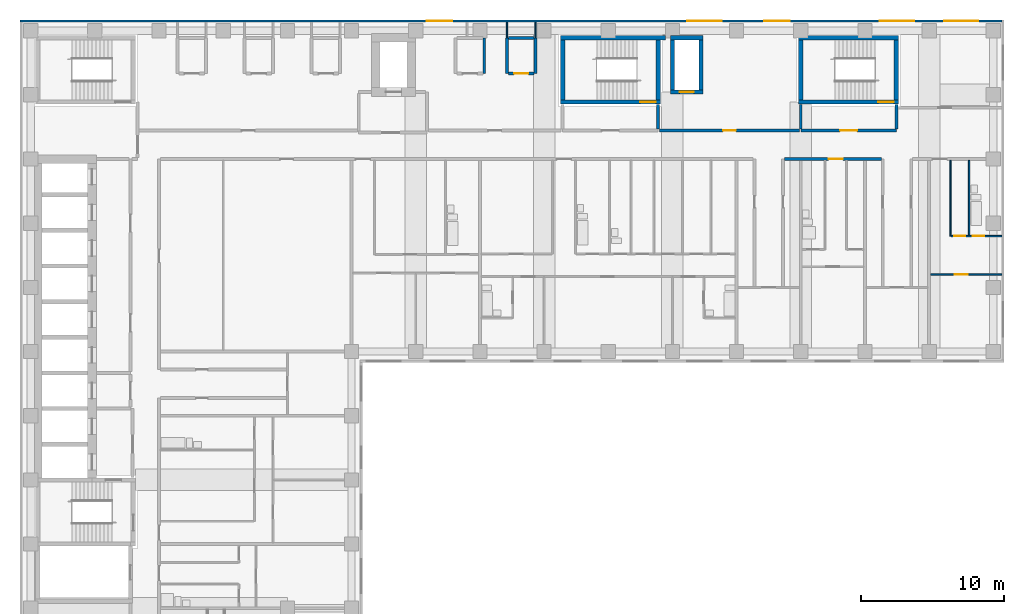
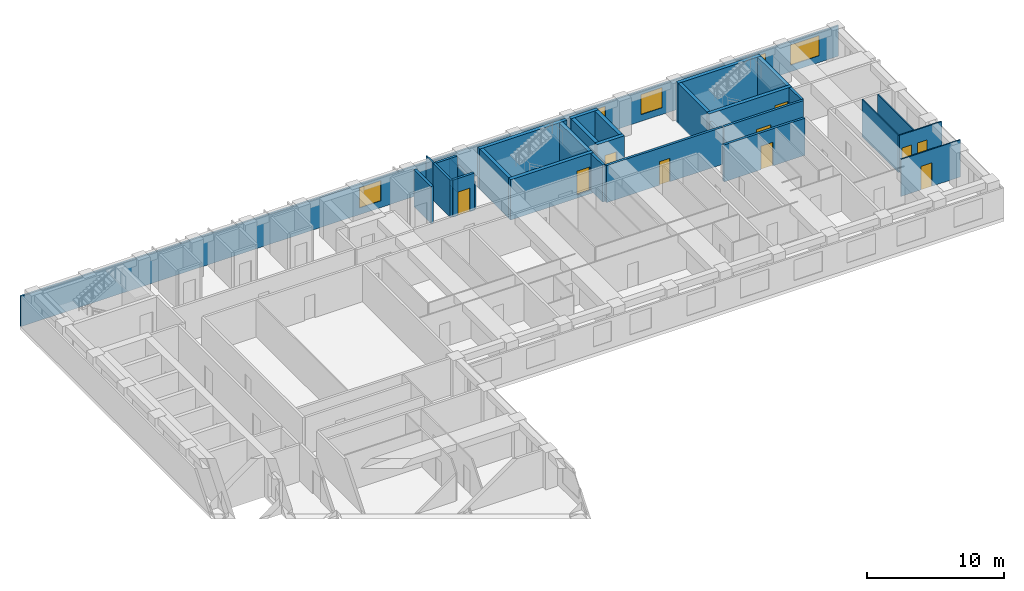
# One storey, part 8 of 12: 30 walls, 10 doors, 5 windows, 15 openings.
"""IFC4 building model written with IfcOpenShell, lengths in metres."""

import ifcopenshell
import ifcopenshell.guid

model = None  # the IFC model being written
_history = None  # IfcOwnerHistory: only IFC2X3 demands one
_inside = {}  # id of a spatial element -> (the spatial element, [elements in it])
_under = {}  # id of a project, library or spatial element -> (it, [spatial elements below it])
_declared = {}  # id of a project -> (the project, [libraries it declares])
_typed = {}  # id of a type object -> (the type object, [elements of that type])
_made_of = {}  # id of a material, layer set ... -> (it, [elements and type objects made of it])


def new_model(schema):
    """Start an empty IFC model of exactly this schema.

    Asked for "IFC4X3", IfcOpenShell would pick the latest addendum, in which some entities
    have other attributes; the version numbers below select the first issue.
    IFC2X3 requires an IfcOwnerHistory on every rooted entity: one is made here for all.
    """
    global model, _history
    if schema == "IFC4X3":
        model = ifcopenshell.file(schema_version=(4, 3, 0, 0))
    else:
        model = ifcopenshell.file(schema=schema)
    _inside.clear()
    _under.clear()
    _declared.clear()
    _typed.clear()
    _made_of.clear()
    _history = None
    if model.schema == "IFC2X3":
        org = make("IfcOrganization", Name="unknown")
        user = make(
            "IfcPersonAndOrganization",
            ThePerson=make("IfcPerson", FamilyName="unknown"),
            TheOrganization=org,
        )
        app = make(
            "IfcApplication",
            ApplicationDeveloper=org,
            Version="unknown",
            ApplicationFullName="unknown",
            ApplicationIdentifier="unknown",
        )
        _history = make(
            "IfcOwnerHistory",
            OwningUser=user,
            OwningApplication=app,
            ChangeAction="ADDED",
            CreationDate=0,
        )
    return model


def make(cls, **values):
    """One entity of the class cls with the attributes given. An attribute that is None is left unset."""
    return model.create_entity(
        cls, **{name: value for name, value in values.items() if value is not None}
    )


def rooted(cls, **values):
    """An entity with a GlobalId (a new one), such as an element, a storey or a relation."""
    return make(cls, GlobalId=ifcopenshell.guid.new(), OwnerHistory=_history, **values)


def si_unit(unit_type, name, prefix=None):
    """IfcSIUnit, for example si_unit("LENGTHUNIT", "METRE", prefix="MILLI")."""
    return make("IfcSIUnit", UnitType=unit_type, Prefix=prefix, Name=name)


def assignment(units):
    """IfcUnitAssignment: the units of a project."""
    return None if units is None else make("IfcUnitAssignment", Units=units)


def point(xyz):
    """IfcCartesianPoint."""
    return None if xyz is None else make("IfcCartesianPoint", Coordinates=xyz)


def direction(xyz):
    """IfcDirection."""
    return None if xyz is None else make("IfcDirection", DirectionRatios=xyz)


def frame(location, z_axis=None, x_axis=None):
    """IfcAxis2Placement3D, a coordinate frame: its origin and axes. An axis left out is left unset."""
    return make(
        "IfcAxis2Placement3D",
        Location=point(location),
        Axis=direction(z_axis),
        RefDirection=direction(x_axis),
    )


def frame_2d(location, x_axis=None):
    """IfcAxis2Placement2D, a coordinate frame in the plane: its origin and x axis."""
    return make(
        "IfcAxis2Placement2D", Location=point(location), RefDirection=direction(x_axis)
    )


def origin():
    """The frame at (0, 0, 0) with its axes left unset."""
    return frame((0.0, 0.0, 0.0))


def place(relative_to, where):
    """IfcLocalPlacement: puts the frame where relative to a parent placement (None: the world)."""
    return make(
        "IfcLocalPlacement", PlacementRelTo=relative_to, RelativePlacement=where
    )


def context(
    kind, dimensions, precision=None, world=None, true_north=None, identifier=None
):
    """IfcGeometricRepresentationContext, for example the 3D "Model" context."""
    return make(
        "IfcGeometricRepresentationContext",
        ContextIdentifier=identifier,
        ContextType=kind,
        CoordinateSpaceDimension=dimensions,
        Precision=precision,
        WorldCoordinateSystem=world,
        TrueNorth=true_north,
    )


def subcontext(parent, identifier, kind, view, scale=None):
    """IfcGeometricRepresentationSubContext, for example "Body" below "Model"."""
    return make(
        "IfcGeometricRepresentationSubContext",
        ContextIdentifier=identifier,
        ContextType=kind,
        ParentContext=parent,
        TargetScale=scale,
        TargetView=view,
    )


def project(units=None, contexts=None):
    """IfcProject with its units and contexts."""
    return rooted(
        "IfcProject",
        Name="project",
        RepresentationContexts=contexts,
        UnitsInContext=assignment(units),
    )


def spatial(cls, under=None, at=None, **own):
    """A site, building, storey or space (cls), placed at a placement, below another one or the project."""
    s = rooted(cls, ObjectPlacement=at, **own)
    if under is not None:
        _under.setdefault(under.id(), (under, []))[1].append(s)
    return s


def profile(cls, at=None, kind="AREA", **sizes):
    """A parametric profile (cls). Its sizes go by their IFC names, for example OverallWidth=200.0."""
    return make(cls, ProfileType=kind, Position=at, **sizes)


def rectangle(**sizes):
    """IfcRectangleProfileDef."""
    return profile("IfcRectangleProfileDef", **sizes)


def extrude(swept, where, along, depth):
    """IfcExtrudedAreaSolid: the profile swept, set in the frame where, extruded along a direction by depth."""
    return make(
        "IfcExtrudedAreaSolid",
        SweptArea=swept,
        Position=where,
        ExtrudedDirection=direction(along),
        Depth=depth,
    )


def shape(context_of_items, identifier, shape_type, items):
    """IfcShapeRepresentation: the items that make up one representation, for example the "Body"."""
    return make(
        "IfcShapeRepresentation",
        ContextOfItems=context_of_items,
        RepresentationIdentifier=identifier,
        RepresentationType=shape_type,
        Items=items,
    )


def material(Name=None, Category=None):
    """IfcMaterial."""
    return make("IfcMaterial", Name=Name, Category=Category)


def layer(
    of_material, thickness, ventilated=None, Name=None, Category=None, Priority=None
):
    """IfcMaterialLayer: one layer of a wall or slab, of a material (None: an air gap)."""
    return make(
        "IfcMaterialLayer",
        Material=of_material,
        LayerThickness=thickness,
        IsVentilated=ventilated,
        Name=Name,
        Category=Category,
        Priority=Priority,
    )


def layer_set(layers, Name=None):
    """IfcMaterialLayerSet."""
    return make("IfcMaterialLayerSet", MaterialLayers=layers, LayerSetName=Name)


def made_of(thing, what):
    """Note that an element or type object is made of a material, layer set ...; save() writes the relation."""
    if what is not None:
        _made_of.setdefault(what.id(), (what, []))[1].append(thing)
    return thing


def type_object(cls, material=None, **own):
    """A type object (cls), such as IfcWallType, which elements share."""
    return made_of(rooted(cls, **own), material)


def element(
    cls,
    number,
    at=None,
    inside=None,
    cuts=None,
    type_object=None,
    material=None,
    context=None,
    identifier="Body",
    shape_type=None,
    held_by="IfcProductDefinitionShape",
    body=None,
    shapes=None,
    **own,
):
    """One element of the class cls, such as IfcWall. Its Tag is "e" and its number.

    at: its placement. inside: the storey or other place that contains it. cuts: it is an
    opening in that element (IfcRelVoidsElement). A single representation is given by context,
    identifier, shape_type and body (its items); several are given by shapes. held_by: the class
    of the entity that holds the representations. save() writes the other relations.
    """
    e = rooted(cls, Tag="e%d" % number, ObjectPlacement=at, **own)
    if body is not None:
        shapes = [shape(context, identifier, shape_type, body)]
    if shapes is not None:
        e.Representation = make(held_by, Representations=shapes)
    if inside is not None:
        _inside.setdefault(inside.id(), (inside, []))[1].append(e)
    if cuts is not None:
        rooted(
            "IfcRelVoidsElement", RelatingBuildingElement=cuts, RelatedOpeningElement=e
        )
    if type_object is not None:
        _typed.setdefault(type_object.id(), (type_object, []))[1].append(e)
    return made_of(e, material)


def fill(opening, filler):
    """IfcRelFillsElement: the door or window that sits in an opening."""
    return rooted(
        "IfcRelFillsElement",
        RelatingOpeningElement=opening,
        RelatedBuildingElement=filler,
    )


def aggregate(whole, parts):
    """IfcRelAggregates: a whole, such as a stair, and the parts it consists of."""
    return rooted("IfcRelAggregates", RelatingObject=whole, RelatedObjects=parts)


def save(model, path):
    """Write the relations noted so far, then the file.

    IfcRelAggregates (storeys below a building ...), IfcRelContainedInSpatialStructure (elements
    in a storey), IfcRelDefinesByType, IfcRelAssociatesMaterial and IfcRelDeclares: one each for
    every whole, place, type object, material and project.
    """
    for whole, parts in _under.values():
        aggregate(whole, parts)
    for where, things in _inside.values():
        rooted(
            "IfcRelContainedInSpatialStructure",
            RelatedElements=things,
            RelatingStructure=where,
        )
    for kind, things in _typed.values():
        rooted("IfcRelDefinesByType", RelatedObjects=things, RelatingType=kind)
    for what, things in _made_of.values():
        rooted("IfcRelAssociatesMaterial", RelatedObjects=things, RelatingMaterial=what)
    for by, libraries in _declared.values():
        rooted("IfcRelDeclares", RelatingContext=by, RelatedDefinitions=libraries)
    model.write(path)


model = new_model("IFC4")

# Units and contexts
model_context = context("Model", 3, precision=1e-05, world=origin(), true_north=direction((0.0, 1.0)))
body_context = subcontext(model_context, "Body", "Model", "MODEL_VIEW")
ifc_project = project(units=[si_unit("LENGTHUNIT", "METRE"), si_unit("AREAUNIT", "SQUARE_METRE"), si_unit("VOLUMEUNIT", "CUBIC_METRE"), si_unit("PLANEANGLEUNIT", "RADIAN"), si_unit("MASSUNIT", "GRAM", prefix="KILO")], contexts=[model_context])

# Site, building, storey
site_placement = place(None, origin())
site = spatial("IfcSite", under=ifc_project, at=site_placement, CompositionType="ELEMENT")
building_placement = place(site_placement, origin())
building = spatial("IfcBuilding", under=site, at=building_placement, Name="Firuza Court", CompositionType="ELEMENT")
storey_placement = place(building_placement, frame((0.0, 0.0, 123.199951171875)))
storey = spatial("IfcBuildingStorey", under=building, at=storey_placement, Name="L30", CompositionType="ELEMENT", Elevation=123.199951171875)

# Wall
ifc_material_1 = material(Name="Moisture-resistant gypsum board partition")
ifc_layer_1 = layer(ifc_material_1, 0.10009765625)
ifc_layer_set_1 = layer_set([ifc_layer_1], Name="Moisture-resistant gypsum board partition")
wall_type_1 = type_object("IfcWallType", Name="Bathroom partition 100", PredefinedType="PLUMBINGWALL", material=ifc_layer_set_1)
wall_1_placement = place(storey_placement, frame((65.800048828125, 44.14990234375, 0.0), z_axis=(0.0, 0.0, 1.0), x_axis=(0.0, 1.0, 0.0)))
element("IfcWall", 1, at=wall_1_placement, inside=storey, type_object=wall_type_1, Name="Bathroom partition 100 L30", PredefinedType="PLUMBINGWALL", context=body_context, shape_type="SweptSolid", body=[
    extrude(rectangle(XDim=5.25, YDim=0.10009765625, at=frame_2d((2.625, 0.0))), origin(), (0.0, 0.0, 1.0), 3.300048828125),
])

# Wall, opening, door
ifc_material_2 = material(Name="Concrete C60/75", Category="concrete")
ifc_layer_2 = layer(ifc_material_2, 0.300048828125)
ifc_layer_set_2 = layer_set([ifc_layer_2], Name="Concrete C60/75")
wall_type_2 = type_object("IfcWallType", Name="Core wall 300 C60/75", PredefinedType="SHEAR", material=ifc_layer_set_2)
wall_2_placement = place(storey_placement, frame((37.14990234375, 53.5, -0.300048828125), z_axis=(0.0, 0.0, 1.0), x_axis=(1.0, 0.0, 0.0)))
wall_2 = element("IfcWall", 2, at=wall_2_placement, inside=storey, type_object=wall_type_2, Name="Core wall stair L30", PredefinedType="SHEAR", context=body_context, shape_type="SweptSolid", body=[
    extrude(rectangle(XDim=7.0, YDim=0.300048828125, at=frame_2d((3.5, 0.0))), origin(), (0.0, 0.0, 1.0), 3.60009765625),
])
opening_1_placement = place(wall_2_placement, frame((5.580078125, 0.0, 0.300048828125)))
opening_1 = element("IfcOpeningElement", 3, at=opening_1_placement, cuts=wall_2, Name="Opening D30012", PredefinedType="OPENING", context=body_context, shape_type="SweptSolid", body=[
    extrude(rectangle(XDim=1.10009765625, YDim=2.10009765625, at=frame_2d((0.550048828125, 1.050048828125))), frame((0.0, 0.162109375, 0.0), z_axis=(0.0, -1.0, 0.0), x_axis=(1.0, 0.0, 0.0)), (0.0, 0.0, 1.0), 0.323974609375),
])
ifc_material_3 = material(Name="Timber door leaf in hardwood frame", Category="wood")
door_type_1 = type_object("IfcDoorType", Name="Stair door 1100", OperationType="SINGLE_SWING_LEFT", PredefinedType="DOOR", material=ifc_material_3)
door_1_placement = place(opening_1_placement, origin())
door_1 = element("IfcDoor", 4, at=door_1_placement, inside=storey, type_object=door_type_1, Name="Stair door S1", OperationType="SINGLE_SWING_RIGHT", OverallHeight=2.10009765625, OverallWidth=1.10009765625, PredefinedType="DOOR", context=body_context, shape_type="SweptSolid", body=[
    extrude(rectangle(XDim=1.10009765625, YDim=2.10009765625, at=frame_2d((0.550048828125, 1.050048828125))), frame((0.0, 0.02490234375, 0.0), z_axis=(0.0, -1.0, 0.0), x_axis=(1.0, 0.0, 0.0)), (0.0, 0.0, 1.0), 0.050048828125),
])
fill(opening_1, door_1)

# Walls
wall_3_placement = place(storey_placement, frame((37.14990234375, 58.0, -0.300048828125), z_axis=(0.0, 0.0, 1.0), x_axis=(1.0, 0.0, 0.0)))
element("IfcWall", 5, at=wall_3_placement, inside=storey, type_object=wall_type_2, Name="Core wall stair L30", PredefinedType="SHEAR", context=body_context, shape_type="SweptSolid", body=[
    extrude(rectangle(XDim=7.35009765625, YDim=0.300048828125, at=frame_2d((3.675048828125, 0.0))), origin(), (0.0, 0.0, 1.0), 3.60009765625),
])
for number, where, z_axis, x_axis, name in (
    (6, (37.300048828125, 53.64990234375, -0.300048828125), (0.0, 0.0, 1.0), (0.0, 1.0, 0.0), "Core wall stair L30"),
    (7, (44.0, 53.64990234375, -0.300048828125), (0.0, 0.0, 1.0), (0.0, 1.0, 0.0), "Core wall stair L30"),
):
    element("IfcWall", number, at=place(storey_placement, frame(where, z_axis=z_axis, x_axis=x_axis)), inside=storey, type_object=wall_type_2, Name=name, PredefinedType="SHEAR", context=body_context, shape_type="SweptSolid", body=[
        extrude(rectangle(XDim=4.2001953125, YDim=0.300048828125, at=frame_2d((2.10009765625, 0.0))), origin(), (0.0, 0.0, 1.0), 3.60009765625),
    ])

# Wall, opening, door
wall_4_placement = place(storey_placement, frame((44.85009765625, 54.199951171875, -0.300048828125), z_axis=(0.0, 0.0, 1.0), x_axis=(1.0, 0.0, 0.0)))
wall_4 = element("IfcWall", 8, at=wall_4_placement, inside=storey, type_object=wall_type_2, Name="Core wall riser L30", PredefinedType="SHEAR", context=body_context, shape_type="SweptSolid", body=[
    extrude(rectangle(XDim=2.2998046875, YDim=0.300048828125, at=frame_2d((1.14990234375, 0.0))), origin(), (0.0, 0.0, 1.0), 3.60009765625),
])
opening_2_placement = place(wall_4_placement, frame((0.64990234375, 0.0, 0.300048828125)))
opening_2 = element("IfcOpeningElement", 9, at=opening_2_placement, cuts=wall_4, Name="Opening D30010", PredefinedType="OPENING", context=body_context, shape_type="SweptSolid", body=[
    extrude(rectangle(XDim=1.0, YDim=2.10009765625, at=frame_2d((0.5, 1.050048828125))), frame((0.0, 0.162109375, 0.0), z_axis=(0.0, -1.0, 0.0), x_axis=(1.0, 0.0, 0.0)), (0.0, 0.0, 1.0), 0.323974609375),
])
ifc_material_4 = material(Name="Timber door leaf in hardwood frame", Category="wood")
door_type_2 = type_object("IfcDoorType", Name="Riser door 1000", OperationType="SINGLE_SWING_LEFT", PredefinedType="DOOR", material=ifc_material_4)
door_2_placement = place(opening_2_placement, origin())
door_2 = element("IfcDoor", 10, at=door_2_placement, inside=storey, type_object=door_type_2, Name="Riser door R3", OperationType="SINGLE_SWING_LEFT", OverallHeight=2.10009765625, OverallWidth=1.0, PredefinedType="DOOR", context=body_context, shape_type="SweptSolid", body=[
    extrude(rectangle(XDim=1.0, YDim=2.10009765625, at=frame_2d((0.5, 1.050048828125))), frame((0.0, 0.02490234375, 0.0), z_axis=(0.0, -1.0, 0.0), x_axis=(1.0, 0.0, 0.0)), (0.0, 0.0, 1.0), 0.050048828125),
])
fill(opening_2, door_2)

# Walls
wall_5_placement = place(storey_placement, frame((44.85009765625, 58.0, -0.300048828125), z_axis=(0.0, 0.0, 1.0), x_axis=(1.0, 0.0, 0.0)))
element("IfcWall", 11, at=wall_5_placement, inside=storey, type_object=wall_type_2, Name="Core wall riser L30", PredefinedType="SHEAR", context=body_context, shape_type="SweptSolid", body=[
    extrude(rectangle(XDim=2.2998046875, YDim=0.300048828125, at=frame_2d((1.14990234375, 0.0))), origin(), (0.0, 0.0, 1.0), 3.60009765625),
])
for number, where, z_axis, x_axis, name in (
    (12, (45.0, 54.35009765625, -0.300048828125), (0.0, 0.0, 1.0), (0.0, 1.0, 0.0), "Core wall riser L30"),
    (13, (47.0, 54.35009765625, -0.300048828125), (0.0, 0.0, 1.0), (0.0, 1.0, 0.0), "Core wall riser L30"),
):
    element("IfcWall", number, at=place(storey_placement, frame(where, z_axis=z_axis, x_axis=x_axis)), inside=storey, type_object=wall_type_2, Name=name, PredefinedType="SHEAR", context=body_context, shape_type="SweptSolid", body=[
        extrude(rectangle(XDim=3.5, YDim=0.300048828125, at=frame_2d((1.75, 0.0))), origin(), (0.0, 0.0, 1.0), 3.60009765625),
    ])

# Wall, opening, door
wall_6_placement = place(storey_placement, frame((53.85009765625, 53.5, -0.300048828125), z_axis=(0.0, 0.0, 1.0), x_axis=(1.0, 0.0, 0.0)))
wall_6 = element("IfcWall", 14, at=wall_6_placement, inside=storey, type_object=wall_type_2, Name="Core wall stair L30", PredefinedType="SHEAR", context=body_context, shape_type="SweptSolid", body=[
    extrude(rectangle(XDim=7.0, YDim=0.300048828125, at=frame_2d((3.5, 0.0))), origin(), (0.0, 0.0, 1.0), 3.60009765625),
])
opening_3_placement = place(wall_6_placement, frame((5.580078125, 0.0, 0.300048828125)))
opening_3 = element("IfcOpeningElement", 15, at=opening_3_placement, cuts=wall_6, Name="Opening D30016", PredefinedType="OPENING", context=body_context, shape_type="SweptSolid", body=[
    extrude(rectangle(XDim=1.10009765625, YDim=2.10009765625, at=frame_2d((0.550048828125, 1.050048828125))), frame((0.0, 0.162109375, 0.0), z_axis=(0.0, -1.0, 0.0), x_axis=(1.0, 0.0, 0.0)), (0.0, 0.0, 1.0), 0.323974609375),
])
door_3_placement = place(opening_3_placement, origin())
door_3 = element("IfcDoor", 16, at=door_3_placement, inside=storey, type_object=door_type_1, Name="Stair door S4", OperationType="SINGLE_SWING_RIGHT", OverallHeight=2.10009765625, OverallWidth=1.10009765625, PredefinedType="DOOR", context=body_context, shape_type="SweptSolid", body=[
    extrude(rectangle(XDim=1.10009765625, YDim=2.10009765625, at=frame_2d((0.550048828125, 1.050048828125))), frame((0.0, 0.02490234375, 0.0), z_axis=(0.0, -1.0, 0.0), x_axis=(1.0, 0.0, 0.0)), (0.0, 0.0, 1.0), 0.050048828125),
])
fill(opening_3, door_3)

# Walls
wall_7_placement = place(storey_placement, frame((53.85009765625, 58.0, -0.300048828125), z_axis=(0.0, 0.0, 1.0), x_axis=(1.0, 0.0, 0.0)))
element("IfcWall", 17, at=wall_7_placement, inside=storey, type_object=wall_type_2, Name="Core wall stair L30", PredefinedType="SHEAR", context=body_context, shape_type="SweptSolid", body=[
    extrude(rectangle(XDim=7.0, YDim=0.300048828125, at=frame_2d((3.5, 0.0))), origin(), (0.0, 0.0, 1.0), 3.60009765625),
])
for number, where, z_axis, x_axis, name in (
    (18, (54.0, 53.64990234375, -0.300048828125), (0.0, 0.0, 1.0), (0.0, 1.0, 0.0), "Core wall stair L30"),
    (19, (60.699951171875, 53.64990234375, -0.300048828125), (0.0, 0.0, 1.0), (0.0, 1.0, 0.0), "Core wall stair L30"),
):
    element("IfcWall", number, at=place(storey_placement, frame(where, z_axis=z_axis, x_axis=x_axis)), inside=storey, type_object=wall_type_2, Name=name, PredefinedType="SHEAR", context=body_context, shape_type="SweptSolid", body=[
        extrude(rectangle(XDim=4.2001953125, YDim=0.300048828125, at=frame_2d((2.10009765625, 0.0))), origin(), (0.0, 0.0, 1.0), 3.60009765625),
    ])

# Wall, opening, door
ifc_material_5 = material(Name="Blockwork, plastered both sides", Category="masonry")
ifc_layer_3 = layer(ifc_material_5, 0.199951171875)
ifc_layer_set_3 = layer_set([ifc_layer_3], Name="Blockwork, plastered both sides")
wall_type_3 = type_object("IfcWallType", Name="Corridor wall 200", PredefinedType="PARTITIONING", material=ifc_layer_set_3)
wall_8_placement = place(storey_placement, frame((52.85009765625, 49.5, 0.0), z_axis=(0.0, 0.0, 1.0), x_axis=(1.0, 0.0, 0.0)))
wall_8 = element("IfcWall", 20, at=wall_8_placement, inside=storey, type_object=wall_type_3, Name="Corridor wall 200 L30", PredefinedType="PARTITIONING", context=body_context, shape_type="SweptSolid", body=[
    extrude(rectangle(XDim=6.7998046875, YDim=0.199951171875, at=frame_2d((3.39990234375, 0.0))), origin(), (0.0, 0.0, 1.0), 3.300048828125),
])
opening_4_placement = place(wall_8_placement, frame((3.10009765625, 0.0, 0.0)))
opening_4 = element("IfcOpeningElement", 21, at=opening_4_placement, cuts=wall_8, Name="Opening D30069", PredefinedType="OPENING", context=body_context, shape_type="SweptSolid", body=[
    extrude(rectangle(XDim=1.0, YDim=2.10009765625, at=frame_2d((0.5, 1.050048828125))), frame((0.0, 0.11181640625, 0.0), z_axis=(0.0, -1.0, 0.0), x_axis=(1.0, 0.0, 0.0)), (0.0, 0.0, 1.0), 0.223876953125),
])
ifc_material_6 = material(Name="Timber door leaf in hardwood frame", Category="wood")
door_type_3 = type_object("IfcDoorType", Name="Flat entrance door 1000", OperationType="SINGLE_SWING_LEFT", PredefinedType="DOOR", material=ifc_material_6)
door_4_placement = place(opening_4_placement, origin())
door_4 = element("IfcDoor", 22, at=door_4_placement, inside=storey, type_object=door_type_3, Name="Flat entrance door", OperationType="SINGLE_SWING_LEFT", OverallHeight=2.10009765625, OverallWidth=1.0, PredefinedType="DOOR", context=body_context, shape_type="SweptSolid", body=[
    extrude(rectangle(XDim=1.0, YDim=2.10009765625, at=frame_2d((0.5, 1.050048828125))), frame((0.0, 0.02490234375, 0.0), z_axis=(0.0, -1.0, 0.0), x_axis=(1.0, 0.0, 0.0)), (0.0, 0.0, 1.0), 0.050048828125),
])
fill(opening_4, door_4)

wall_9_placement = place(storey_placement, frame((44.10009765625, 51.5, 0.0), z_axis=(0.0, 0.0, 1.0), x_axis=(1.0, 0.0, 0.0)))
wall_9 = element("IfcWall", 23, at=wall_9_placement, inside=storey, type_object=wall_type_3, Name="Corridor wall 200 L30", PredefinedType="PARTITIONING", context=body_context, shape_type="SweptSolid", body=[
    extrude(rectangle(XDim=9.7998046875, YDim=0.199951171875, at=frame_2d((4.89990234375, 0.0))), origin(), (0.0, 0.0, 1.0), 3.300048828125),
])
opening_5_placement = place(wall_9_placement, frame((4.449951171875, 0.0, 0.0)))
opening_5 = element("IfcOpeningElement", 24, at=opening_5_placement, cuts=wall_9, Name="Opening D30073", PredefinedType="OPENING", context=body_context, shape_type="SweptSolid", body=[
    extrude(rectangle(XDim=0.89990234375, YDim=2.10009765625, at=frame_2d((0.449951171875, 1.050048828125))), frame((0.0, 0.11181640625, 0.0), z_axis=(0.0, -1.0, 0.0), x_axis=(1.0, 0.0, 0.0)), (0.0, 0.0, 1.0), 0.223876953125),
])
ifc_material_7 = material(Name="Timber door leaf in hardwood frame", Category="wood")
door_type_4 = type_object("IfcDoorType", Name="Room door 900 EI 30", OperationType="SINGLE_SWING_LEFT", PredefinedType="DOOR", material=ifc_material_7)
door_5_placement = place(opening_5_placement, origin())
door_5 = element("IfcDoor", 25, at=door_5_placement, inside=storey, type_object=door_type_4, Name="Meeting room door", OperationType="SINGLE_SWING_LEFT", OverallHeight=2.10009765625, OverallWidth=0.89990234375, PredefinedType="DOOR", context=body_context, shape_type="SweptSolid", body=[
    extrude(rectangle(XDim=0.89990234375, YDim=2.10009765625, at=frame_2d((0.449951171875, 1.050048828125))), frame((0.0, 0.02490234375, 0.0), z_axis=(0.0, -1.0, 0.0), x_axis=(1.0, 0.0, 0.0)), (0.0, 0.0, 1.0), 0.050048828125),
])
fill(opening_5, door_5)

ifc_material_8 = material(Name="Timber stud partition, plasterboard both sides", Category="wood")
ifc_layer_4 = layer(ifc_material_8, 0.10009765625)
ifc_layer_set_4 = layer_set([ifc_layer_4], Name="Timber stud partition, plasterboard both sides")
wall_type_4 = type_object("IfcWallType", Name="Partition wall 100", PredefinedType="PARTITIONING", material=ifc_layer_set_4)
wall_10_placement = place(storey_placement, frame((63.10009765625, 41.39990234375, 0.0), z_axis=(0.0, 0.0, 1.0), x_axis=(1.0, 0.0, 0.0)))
wall_10 = element("IfcWall", 26, at=wall_10_placement, inside=storey, type_object=wall_type_4, Name="Partition wall 100 L30", PredefinedType="PARTITIONING", context=body_context, shape_type="SweptSolid", body=[
    extrude(rectangle(XDim=5.0, YDim=0.10009765625, at=frame_2d((2.5, 0.0))), origin(), (0.0, 0.0, 1.0), 3.300048828125),
])
opening_6_placement = place(wall_10_placement, frame((1.699951171875, 0.0, 0.0)))
opening_6 = element("IfcOpeningElement", 27, at=opening_6_placement, cuts=wall_10, Name="Opening D30049", PredefinedType="OPENING", context=body_context, shape_type="SweptSolid", body=[
    extrude(rectangle(XDim=0.89990234375, YDim=2.10009765625, at=frame_2d((0.449951171875, 1.050048828125))), frame((0.0, 0.06201171875, 0.0), z_axis=(0.0, -1.0, 0.0), x_axis=(1.0, 0.0, 0.0)), (0.0, 0.0, 1.0), 0.1240234375),
])
ifc_material_9 = material(Name="Timber door leaf in hardwood frame", Category="wood")
door_type_5 = type_object("IfcDoorType", Name="Room door 900", OperationType="SINGLE_SWING_LEFT", PredefinedType="DOOR", material=ifc_material_9)
door_6_placement = place(opening_6_placement, frame((0.89990234375, 0.0, 0.0), z_axis=(0.0, 0.0, 1.0), x_axis=(-1.0, 0.0, 0.0)))
door_6 = element("IfcDoor", 28, at=door_6_placement, inside=storey, type_object=door_type_5, Name="Studio room door", OperationType="SINGLE_SWING_RIGHT", OverallHeight=2.10009765625, OverallWidth=0.89990234375, PredefinedType="DOOR", context=body_context, shape_type="SweptSolid", body=[
    extrude(rectangle(XDim=0.89990234375, YDim=2.10009765625, at=frame_2d((0.449951171875, 1.050048828125))), frame((0.0, 0.02490234375, 0.0), z_axis=(0.0, -1.0, 0.0), x_axis=(1.0, 0.0, 0.0)), (0.0, 0.0, 1.0), 0.050048828125),
])
fill(opening_6, door_6)

# Wall
wall_11_placement = place(storey_placement, frame((64.5, 44.10009765625, 0.0), z_axis=(0.0, 0.0, 1.0), x_axis=(0.0, 1.0, 0.0)))
element("IfcWall", 29, at=wall_11_placement, inside=storey, type_object=wall_type_4, Name="Partition wall 100 L30", PredefinedType="PARTITIONING", context=body_context, shape_type="SweptSolid", body=[
    extrude(rectangle(XDim=5.2998046875, YDim=0.10009765625, at=frame_2d((2.64990234375, 0.0))), origin(), (0.0, 0.0, 1.0), 3.300048828125),
])

# Wall, openings, doors
wall_12_placement = place(storey_placement, frame((64.550048828125, 44.10009765625, 0.0), z_axis=(0.0, 0.0, 1.0), x_axis=(1.0, 0.0, 0.0)))
wall_12 = element("IfcWall", 30, at=wall_12_placement, inside=storey, type_object=wall_type_4, Name="Partition wall 100 L30", PredefinedType="PARTITIONING", context=body_context, shape_type="SweptSolid", body=[
    extrude(rectangle(XDim=3.550048828125, YDim=0.10009765625, at=frame_2d((1.77490234375, 0.0))), origin(), (0.0, 0.0, 1.0), 3.300048828125),
])
opening_7_placement = place(wall_12_placement, frame((1.5, 0.0, 0.0)))
opening_7 = element("IfcOpeningElement", 31, at=opening_7_placement, cuts=wall_12, Name="Opening D30064", PredefinedType="OPENING", context=body_context, shape_type="SweptSolid", body=[
    extrude(rectangle(XDim=0.800048828125, YDim=2.10009765625, at=frame_2d((0.39990234375, 1.050048828125))), frame((0.0, 0.06201171875, 0.0), z_axis=(0.0, -1.0, 0.0), x_axis=(1.0, 0.0, 0.0)), (0.0, 0.0, 1.0), 0.1240234375),
])
opening_8_placement = place(wall_12_placement, frame((0.199951171875, 0.0, 0.0)))
opening_8 = element("IfcOpeningElement", 32, at=opening_8_placement, cuts=wall_12, Name="Opening D30065", PredefinedType="OPENING", context=body_context, shape_type="SweptSolid", body=[
    extrude(rectangle(XDim=0.800048828125, YDim=2.10009765625, at=frame_2d((0.39990234375, 1.050048828125))), frame((0.0, 0.06201171875, 0.0), z_axis=(0.0, -1.0, 0.0), x_axis=(1.0, 0.0, 0.0)), (0.0, 0.0, 1.0), 0.1240234375),
])
ifc_material_10 = material(Name="Timber door leaf in hardwood frame", Category="wood")
door_type_6 = type_object("IfcDoorType", Name="Bathroom door 800", OperationType="SINGLE_SWING_LEFT", PredefinedType="DOOR", material=ifc_material_10)
door_7_placement = place(opening_7_placement, origin())
door_7 = element("IfcDoor", 33, at=door_7_placement, inside=storey, type_object=door_type_6, Name="Bathroom door", OperationType="SINGLE_SWING_LEFT", OverallHeight=2.10009765625, OverallWidth=0.800048828125, PredefinedType="DOOR", context=body_context, shape_type="SweptSolid", body=[
    extrude(rectangle(XDim=0.800048828125, YDim=2.10009765625, at=frame_2d((0.39990234375, 1.050048828125))), frame((0.0, 0.02490234375, 0.0), z_axis=(0.0, -1.0, 0.0), x_axis=(1.0, 0.0, 0.0)), (0.0, 0.0, 1.0), 0.050048828125),
])
fill(opening_7, door_7)
ifc_material_11 = material(Name="Timber door leaf in hardwood frame", Category="wood")
door_type_7 = type_object("IfcDoorType", Name="Room door 800", OperationType="SINGLE_SWING_LEFT", PredefinedType="DOOR", material=ifc_material_11)
door_8_placement = place(opening_8_placement, origin())
door_8 = element("IfcDoor", 34, at=door_8_placement, inside=storey, type_object=door_type_7, Name="Kitchen door", OperationType="SINGLE_SWING_LEFT", OverallHeight=2.10009765625, OverallWidth=0.800048828125, PredefinedType="DOOR", context=body_context, shape_type="SweptSolid", body=[
    extrude(rectangle(XDim=0.800048828125, YDim=2.10009765625, at=frame_2d((0.39990234375, 1.050048828125))), frame((0.0, 0.02490234375, 0.0), z_axis=(0.0, -1.0, 0.0), x_axis=(1.0, 0.0, 0.0)), (0.0, 0.0, 1.0), 0.050048828125),
])
fill(opening_8, door_8)

# Walls
wall_13_placement = place(storey_placement, frame((33.39990234375, 58.0, 0.0), z_axis=(0.0, 0.0, 1.0), x_axis=(0.0, 1.0, 0.0)))
element("IfcWall", 35, at=wall_13_placement, inside=storey, type_object=wall_type_4, Name="Partition wall 100 L30", PredefinedType="PARTITIONING", context=body_context, shape_type="SweptSolid", body=[
    extrude(rectangle(XDim=1.10009765625, YDim=0.10009765625, at=frame_2d((0.550048828125, 0.0))), origin(), (0.0, 0.0, 1.0), 3.300048828125),
])
wall_14_placement = place(storey_placement, frame((35.39990234375, 58.0, 0.0), z_axis=(0.0, 0.0, 1.0), x_axis=(0.0, 1.0, 0.0)))
element("IfcWall", 36, at=wall_14_placement, inside=storey, type_object=wall_type_4, Name="Partition wall 100 L30", PredefinedType="PARTITIONING", context=body_context, shape_type="SweptSolid", body=[
    extrude(rectangle(XDim=1.10009765625, YDim=0.10009765625, at=frame_2d((0.550048828125, 0.0))), origin(), (0.0, 0.0, 1.0), 2.400146484375),
])
ifc_material_12 = material(Name="Blockwork, fire-rated", Category="masonry")
ifc_layer_5 = layer(ifc_material_12, 0.199951171875)
ifc_layer_set_5 = layer_set([ifc_layer_5], Name="Blockwork, fire-rated")
wall_type_5 = type_object("IfcWallType", Name="Plant room wall 200", PredefinedType="PARTITIONING", material=ifc_layer_set_5)
for number, where, z_axis, x_axis, name in (
    (37, (31.800048828125, 55.5, 0.0), (0.0, 0.0, 1.0), (0.0, 1.0, 0.0), "Plant room wall 200 L30"),
    (38, (33.39990234375, 55.5, 0.0), (0.0, 0.0, 1.0), (0.0, 1.0, 0.0), "Plant room wall 200 L30"),
):
    element("IfcWall", number, at=place(storey_placement, frame(where, z_axis=z_axis, x_axis=x_axis)), inside=storey, type_object=wall_type_5, Name=name, PredefinedType="PARTITIONING", context=body_context, shape_type="SweptSolid", body=[
        extrude(rectangle(XDim=2.5, YDim=0.199951171875, at=frame_2d((1.25, 0.0))), origin(), (0.0, 0.0, 1.0), 3.300048828125),
    ])

# Wall, opening, door
wall_15_placement = place(storey_placement, frame((33.5, 55.5, 0.0), z_axis=(0.0, 0.0, 1.0), x_axis=(1.0, 0.0, 0.0)))
wall_15 = element("IfcWall", 39, at=wall_15_placement, inside=storey, type_object=wall_type_5, Name="Plant room wall 200 L30", PredefinedType="PARTITIONING", context=body_context, shape_type="SweptSolid", body=[
    extrude(rectangle(XDim=1.800048828125, YDim=0.199951171875, at=frame_2d((0.89990234375, 0.0))), origin(), (0.0, 0.0, 1.0), 3.300048828125),
])
opening_9_placement = place(wall_15_placement, frame((0.39990234375, 0.0, 0.0)))
opening_9 = element("IfcOpeningElement", 40, at=opening_9_placement, cuts=wall_15, Name="Opening D30079", PredefinedType="OPENING", context=body_context, shape_type="SweptSolid", body=[
    extrude(rectangle(XDim=1.0, YDim=2.10009765625, at=frame_2d((0.5, 1.050048828125))), frame((0.0, 0.11181640625, 0.0), z_axis=(0.0, -1.0, 0.0), x_axis=(1.0, 0.0, 0.0)), (0.0, 0.0, 1.0), 0.223876953125),
])
door_9_placement = place(opening_9_placement, origin())
door_9 = element("IfcDoor", 41, at=door_9_placement, inside=storey, type_object=door_type_2, Name="Duct riser door", OperationType="SINGLE_SWING_LEFT", OverallHeight=2.10009765625, OverallWidth=1.0, PredefinedType="DOOR", context=body_context, shape_type="SweptSolid", body=[
    extrude(rectangle(XDim=1.0, YDim=2.10009765625, at=frame_2d((0.5, 1.050048828125))), frame((0.0, 0.02490234375, 0.0), z_axis=(0.0, -1.0, 0.0), x_axis=(1.0, 0.0, 0.0)), (0.0, 0.0, 1.0), 0.050048828125),
])
fill(opening_9, door_9)

# Walls
wall_16_placement = place(storey_placement, frame((35.39990234375, 55.5, 0.0), z_axis=(0.0, 0.0, 1.0), x_axis=(0.0, 1.0, 0.0)))
element("IfcWall", 42, at=wall_16_placement, inside=storey, type_object=wall_type_5, Name="Plant room wall 200 L30", PredefinedType="PARTITIONING", context=body_context, shape_type="SweptSolid", body=[
    extrude(rectangle(XDim=2.5, YDim=0.199951171875, at=frame_2d((1.25, 0.0))), origin(), (0.0, 0.0, 1.0), 2.400146484375),
])
wall_17_placement = place(storey_placement, frame((33.5, 58.0, 0.0), z_axis=(0.0, 0.0, 1.0), x_axis=(1.0, 0.0, 0.0)))
element("IfcWall", 43, at=wall_17_placement, inside=storey, type_object=wall_type_5, Name="Plant room wall 200 L30", PredefinedType="PARTITIONING", context=body_context, shape_type="SweptSolid", body=[
    extrude(rectangle(XDim=1.800048828125, YDim=0.199951171875, at=frame_2d((0.89990234375, 0.0))), origin(), (0.0, 0.0, 1.0), 3.300048828125),
])

# Wall, openings, windows
ifc_material_13 = material(Name="Ceramic tile", Category="ceramic")
ifc_layer_6 = layer(ifc_material_13, 0.02001953125)
ifc_material_14 = material(Name="Mineral wool insulation", Category="insulation")
ifc_layer_7 = layer(ifc_material_14, 0.050048828125)
ifc_material_15 = material(Name="Concrete C40/50 precast", Category="concrete")
ifc_layer_8 = layer(ifc_material_15, 0.080078125)
ifc_layer_set_6 = layer_set([ifc_layer_6, ifc_layer_7, ifc_layer_8], Name="Concrete C40/50 precast")
wall_type_6 = type_object("IfcWallType", Name="Precast cladding wall with turquoise TILE PANEL face 150", PredefinedType="STANDARD", material=ifc_layer_set_6)
wall_18_placement = place(storey_placement, frame((68.10009765625, 59.175048828125, 0.0), z_axis=(0.0, 0.0, 1.0), x_axis=(-1.0, 0.0, 0.0)))
wall_18 = element("IfcWall", 44, at=wall_18_placement, inside=storey, type_object=wall_type_6, Name="Facade wall L30 N", PredefinedType="STANDARD", context=body_context, shape_type="SweptSolid", body=[
    extrude(rectangle(XDim=68.85009765625, YDim=0.14990234375, at=frame_2d((34.425048828125, 0.0))), origin(), (0.0, 0.0, 1.0), 2.699951171875),
])
opening_10_placement = place(wall_18_placement, frame((1.64990234375, 0.0, 0.60009765625)))
opening_10 = element("IfcOpeningElement", 45, at=opening_10_placement, cuts=wall_18, Name="Opening W1", PredefinedType="OPENING", context=body_context, shape_type="SweptSolid", body=[
    extrude(rectangle(XDim=2.39990234375, YDim=1.800048828125, at=frame_2d((1.199951171875, 0.89990234375))), frame((0.0, 0.0869140625, 0.0), z_axis=(0.0, -1.0, 0.0), x_axis=(1.0, 0.0, 0.0)), (0.0, 0.0, 1.0), 0.173828125),
])
opening_11_placement = place(wall_18_placement, frame((6.14990234375, 0.0, 0.60009765625)))
opening_11 = element("IfcOpeningElement", 46, at=opening_11_placement, cuts=wall_18, Name="Opening W1", PredefinedType="OPENING", context=body_context, shape_type="SweptSolid", body=[
    extrude(rectangle(XDim=2.39990234375, YDim=1.800048828125, at=frame_2d((1.199951171875, 0.89990234375))), frame((0.0, 0.0869140625, 0.0), z_axis=(0.0, -1.0, 0.0), x_axis=(1.0, 0.0, 0.0)), (0.0, 0.0, 1.0), 0.173828125),
])
opening_12_placement = place(wall_18_placement, frame((14.859619140625, 0.0, 0.60009765625)))
opening_12 = element("IfcOpeningElement", 47, at=opening_12_placement, cuts=wall_18, Name="Opening W7", PredefinedType="OPENING", context=body_context, shape_type="SweptSolid", body=[
    extrude(rectangle(XDim=1.800048828125, YDim=1.800048828125, at=frame_2d((0.89990234375, 0.89990234375))), frame((0.0, 0.0869140625, 0.0), z_axis=(0.0, -1.0, 0.0), x_axis=(1.0, 0.0, 0.0)), (0.0, 0.0, 1.0), 0.173828125),
])
opening_13_placement = place(wall_18_placement, frame((19.64990234375, 0.0, 0.60009765625)))
opening_13 = element("IfcOpeningElement", 48, at=opening_13_placement, cuts=wall_18, Name="Opening W1", PredefinedType="OPENING", context=body_context, shape_type="SweptSolid", body=[
    extrude(rectangle(XDim=2.39990234375, YDim=1.800048828125, at=frame_2d((1.199951171875, 0.89990234375))), frame((0.0, 0.0869140625, 0.0), z_axis=(0.0, -1.0, 0.0), x_axis=(1.0, 0.0, 0.0)), (0.0, 0.0, 1.0), 0.173828125),
])
opening_14_placement = place(wall_18_placement, frame((38.540283203125, 0.0, 0.60009765625)))
opening_14 = element("IfcOpeningElement", 49, at=opening_14_placement, cuts=wall_18, Name="Opening W7", PredefinedType="OPENING", context=body_context, shape_type="SweptSolid", body=[
    extrude(rectangle(XDim=1.800048828125, YDim=1.800048828125, at=frame_2d((0.89990234375, 0.89990234375))), frame((0.0, 0.0869140625, 0.0), z_axis=(0.0, -1.0, 0.0), x_axis=(1.0, 0.0, 0.0)), (0.0, 0.0, 1.0), 0.173828125),
])
ifc_material_16 = material(Name="Aluminium frame, triple clear glazing", Category="aluminium")
window_type_1 = type_object("IfcWindowType", Name="Window W1 2400 x 1800", PartitioningType="SINGLE_PANEL", PredefinedType="WINDOW", material=ifc_material_16)
window_1_placement = place(opening_10_placement, origin())
window_1 = element("IfcWindow", 50, at=window_1_placement, inside=storey, type_object=window_type_1, Name="Window L30", OverallHeight=1.800048828125, OverallWidth=2.39990234375, PartitioningType="SINGLE_PANEL", PredefinedType="WINDOW", context=body_context, shape_type="SweptSolid", body=[
    extrude(rectangle(XDim=2.39990234375, YDim=1.800048828125, at=frame_2d((1.199951171875, 0.89990234375))), frame((0.0, 0.030029296875, 0.0), z_axis=(0.0, -1.0, 0.0), x_axis=(1.0, 0.0, 0.0)), (0.0, 0.0, 1.0), 0.06005859375),
])
fill(opening_10, window_1)
window_2_placement = place(opening_11_placement, origin())
window_2 = element("IfcWindow", 51, at=window_2_placement, inside=storey, type_object=window_type_1, Name="Window L30", OverallHeight=1.800048828125, OverallWidth=2.39990234375, PartitioningType="SINGLE_PANEL", PredefinedType="WINDOW", context=body_context, shape_type="SweptSolid", body=[
    extrude(rectangle(XDim=2.39990234375, YDim=1.800048828125, at=frame_2d((1.199951171875, 0.89990234375))), frame((0.0, 0.030029296875, 0.0), z_axis=(0.0, -1.0, 0.0), x_axis=(1.0, 0.0, 0.0)), (0.0, 0.0, 1.0), 0.06005859375),
])
fill(opening_11, window_2)
window_3_placement = place(opening_13_placement, origin())
window_3 = element("IfcWindow", 52, at=window_3_placement, inside=storey, type_object=window_type_1, Name="Window L30", OverallHeight=1.800048828125, OverallWidth=2.39990234375, PartitioningType="SINGLE_PANEL", PredefinedType="WINDOW", context=body_context, shape_type="SweptSolid", body=[
    extrude(rectangle(XDim=2.39990234375, YDim=1.800048828125, at=frame_2d((1.199951171875, 0.89990234375))), frame((0.0, 0.030029296875, 0.0), z_axis=(0.0, -1.0, 0.0), x_axis=(1.0, 0.0, 0.0)), (0.0, 0.0, 1.0), 0.06005859375),
])
fill(opening_13, window_3)
ifc_material_17 = material(Name="Aluminium frame, triple clear glazing", Category="aluminium")
window_type_2 = type_object("IfcWindowType", Name="Window W7 1800 x 1800", PartitioningType="SINGLE_PANEL", PredefinedType="WINDOW", material=ifc_material_17)
window_4_placement = place(opening_12_placement, origin())
window_4 = element("IfcWindow", 53, at=window_4_placement, inside=storey, type_object=window_type_2, Name="Window L30", OverallHeight=1.800048828125, OverallWidth=1.800048828125, PartitioningType="SINGLE_PANEL", PredefinedType="WINDOW", context=body_context, shape_type="SweptSolid", body=[
    extrude(rectangle(XDim=1.800048828125, YDim=1.800048828125, at=frame_2d((0.89990234375, 0.89990234375))), frame((0.0, 0.030029296875, 0.0), z_axis=(0.0, -1.0, 0.0), x_axis=(1.0, 0.0, 0.0)), (0.0, 0.0, 1.0), 0.06005859375),
])
fill(opening_12, window_4)
window_5_placement = place(opening_14_placement, origin())
window_5 = element("IfcWindow", 54, at=window_5_placement, inside=storey, type_object=window_type_2, Name="Window L30", OverallHeight=1.800048828125, OverallWidth=1.800048828125, PartitioningType="SINGLE_PANEL", PredefinedType="WINDOW", context=body_context, shape_type="SweptSolid", body=[
    extrude(rectangle(XDim=1.800048828125, YDim=1.800048828125, at=frame_2d((0.89990234375, 0.89990234375))), frame((0.0, 0.030029296875, 0.0), z_axis=(0.0, -1.0, 0.0), x_axis=(1.0, 0.0, 0.0)), (0.0, 0.0, 1.0), 0.06005859375),
])
fill(opening_14, window_5)

# Wall
ifc_layer_9 = layer(ifc_material_12, 0.199951171875)
ifc_layer_set_7 = layer_set([ifc_layer_9], Name="Blockwork, fire-rated")
wall_type_7 = type_object("IfcWallType", Name="Shaft wall 200", PredefinedType="PARTITIONING", material=ifc_layer_set_7)
wall_19_placement = place(storey_placement, frame((44.0, 51.60009765625, 0.0), z_axis=(0.0, 0.0, 1.0), x_axis=(0.0, 1.0, 0.0)))
element("IfcWall", 55, at=wall_19_placement, inside=storey, type_object=wall_type_7, Name="Shaft wall 200 L30", PredefinedType="PARTITIONING", context=body_context, shape_type="SweptSolid", body=[
    extrude(rectangle(XDim=1.72998046875, YDim=0.199951171875, at=frame_2d((0.864990234375, 0.0))), origin(), (0.0, 0.0, 1.0), 3.300048828125),
])

# Wall, opening, door
wall_20_placement = place(storey_placement, frame((54.0, 51.5, 0.0), z_axis=(0.0, 0.0, 1.0), x_axis=(1.0, 0.0, 0.0)))
wall_20 = element("IfcWall", 56, at=wall_20_placement, inside=storey, type_object=wall_type_7, Name="Shaft wall 200 L30", PredefinedType="PARTITIONING", context=body_context, shape_type="SweptSolid", body=[
    extrude(rectangle(XDim=6.699951171875, YDim=0.199951171875, at=frame_2d((3.35009765625, 0.0))), origin(), (0.0, 0.0, 1.0), 3.300048828125),
])
opening_15_placement = place(wall_20_placement, frame((2.75, 0.0, 0.0)))
opening_15 = element("IfcOpeningElement", 57, at=opening_15_placement, cuts=wall_20, Name="Opening D30007", PredefinedType="OPENING", context=body_context, shape_type="SweptSolid", body=[
    extrude(rectangle(XDim=1.199951171875, YDim=2.10009765625, at=frame_2d((0.60009765625, 1.050048828125))), frame((0.0, 0.11181640625, 0.0), z_axis=(0.0, -1.0, 0.0), x_axis=(1.0, 0.0, 0.0)), (0.0, 0.0, 1.0), 0.223876953125),
])
ifc_material_18 = material(Name="Timber door leaf in hardwood frame", Category="wood")
door_type_8 = type_object("IfcDoorType", Name="Lobby door 1200", OperationType="SINGLE_SWING_LEFT", PredefinedType="DOOR", material=ifc_material_18)
door_10_placement = place(opening_15_placement, origin())
door_10 = element("IfcDoor", 58, at=door_10_placement, inside=storey, type_object=door_type_8, Name="Lobby door", OperationType="SINGLE_SWING_LEFT", OverallHeight=2.10009765625, OverallWidth=1.199951171875, PredefinedType="DOOR", context=body_context, shape_type="SweptSolid", body=[
    extrude(rectangle(XDim=1.199951171875, YDim=2.10009765625, at=frame_2d((0.60009765625, 1.050048828125))), frame((0.0, 0.02490234375, 0.0), z_axis=(0.0, -1.0, 0.0), x_axis=(1.0, 0.0, 0.0)), (0.0, 0.0, 1.0), 0.050048828125),
])
fill(opening_15, door_10)

# Walls
wall_21_placement = place(storey_placement, frame((60.699951171875, 51.60009765625, 0.0), z_axis=(0.0, 0.0, 1.0), x_axis=(0.0, 1.0, 0.0)))
element("IfcWall", 59, at=wall_21_placement, inside=storey, type_object=wall_type_7, Name="Shaft wall 200 L30", PredefinedType="PARTITIONING", context=body_context, shape_type="SweptSolid", body=[
    extrude(rectangle(XDim=1.72998046875, YDim=0.199951171875, at=frame_2d((0.864990234375, 0.0))), origin(), (0.0, 0.0, 1.0), 3.300048828125),
])
wall_22_placement = place(storey_placement, frame((54.0, 51.60009765625, 0.0), z_axis=(0.0, 0.0, 1.0), x_axis=(0.0, 1.0, 0.0)))
element("IfcWall", 60, at=wall_22_placement, inside=storey, type_object=wall_type_7, Name="Shaft wall 200 L30", PredefinedType="PARTITIONING", context=body_context, shape_type="SweptSolid", body=[
    extrude(rectangle(XDim=1.72998046875, YDim=0.199951171875, at=frame_2d((0.864990234375, 0.0))), origin(), (0.0, 0.0, 1.0), 2.60009765625),
])

save(model, "model.ifc")
